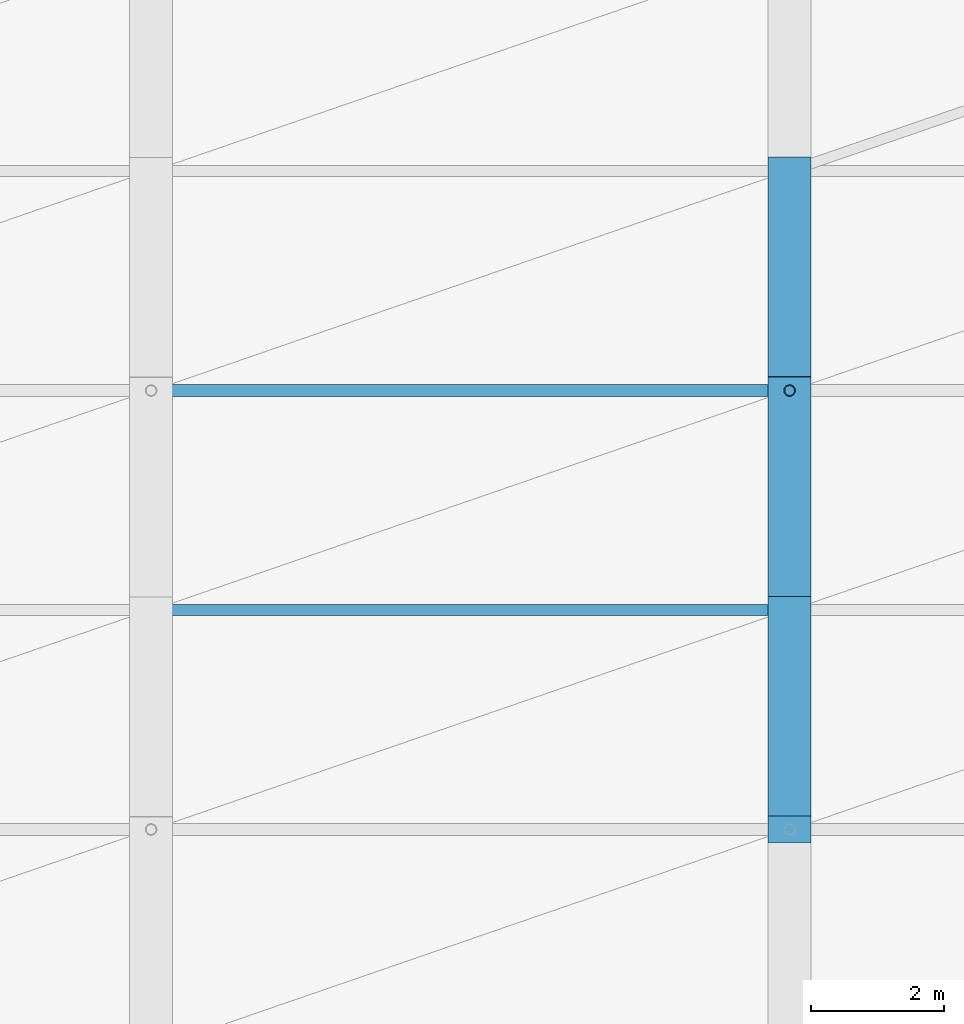
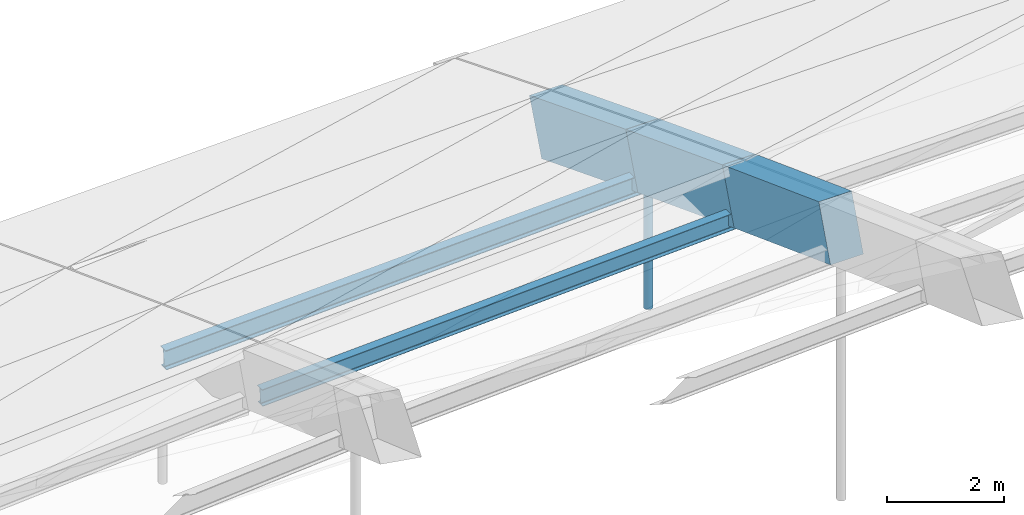
# One storey, part 21 of 43: 3 beams, 3 members.
"""IFC4 building model written with IfcOpenShell, lengths in metres."""

from ifc_helpers import new_model, si_unit, direction, frame, origin, origin_2d, place, context, subcontext, project, spatial, rectangle, hollow_circle, i_section, extrude, material, material_profile, profile_set, type_object, element, save


model = new_model("IFC4")

# Units and contexts
model_context = context("Model", 3, precision=1e-05, world=origin(), true_north=direction((0.0, 1.0)))
body_context = subcontext(model_context, "Body", "Model", "MODEL_VIEW")
ifc_project = project(units=[si_unit("LENGTHUNIT", "METRE"), si_unit("AREAUNIT", "SQUARE_METRE"), si_unit("VOLUMEUNIT", "CUBIC_METRE"), si_unit("PLANEANGLEUNIT", "RADIAN"), si_unit("MASSUNIT", "GRAM", prefix="KILO")], contexts=[model_context])

# Site, building, storey
site_placement = place(None, origin())
site = spatial("IfcSite", under=ifc_project, at=site_placement, CompositionType="ELEMENT")
building_placement = place(site_placement, origin())
building = spatial("IfcBuilding", under=site, at=building_placement, Name="Chalmorin Arch Market", CompositionType="ELEMENT")
storey_placement = place(building_placement, frame((0.0, 0.0, 18.60009765625)))
storey = spatial("IfcBuildingStorey", under=building, at=storey_placement, Name="RF", CompositionType="ELEMENT", Elevation=18.60009765625)

# Member
ifc_material_1 = material(Name="Steel A500 Grade C", Category="steel")
ifc_material_profile_1 = material_profile(ifc_material_1, hollow_circle(Radius=0.084228515625, WallThickness=0.007080078125, at=origin_2d()), Name="CHS168X7")
ifc_profile_set_1 = profile_set([ifc_material_profile_1], Name="Steel A500 Grade C")
member_type_1 = type_object("IfcMemberType", Name="ArchHangerTie-CHS168", PredefinedType="CHORD", material=ifc_profile_set_1)
member_1_placement = place(storey_placement, frame((76.800048828125, 52.199951171875, -2.552978515625), z_axis=(0.0, 0.0, 1.0), x_axis=(1.0, 0.0, 0.0)))
element("IfcMember", 1, at=member_1_placement, inside=storey, type_object=member_type_1, Name="HT-CH168-0155", PredefinedType="CHORD", context=body_context, shape_type="SweptSolid", body=[
    extrude(hollow_circle(Radius=0.084228515625, WallThickness=0.007080078125, at=origin_2d()), origin(), (0.0, 0.0, 1.0), 3.161376953125),
])

# Beams
ifc_material_2 = material(Name="Concrete C50/60", Category="concrete")
ifc_material_profile_2 = material_profile(ifc_material_2, rectangle(XDim=0.64990234375, YDim=1.14990234375, at=origin_2d()), Name="RC650X1150")
ifc_profile_set_2 = profile_set([ifc_material_profile_2], Name="Concrete C50/60")
beam_type = type_object("IfcBeamType", Name="ArchRibChord-650x1150", PredefinedType="BEAM", material=ifc_profile_set_2)
beam_1_placement = place(storey_placement, frame((76.800048828125, 45.60009765625, 3.098388671875), z_axis=(0.0, 0.937045198324, -0.349208098843), x_axis=(-1.0, 0.0, 0.0)))
element("IfcBeam", 2, at=beam_1_placement, inside=storey, type_object=beam_type, Name="AR-01-1654", PredefinedType="BEAM", context=body_context, shape_type="SweptSolid", body=[
    extrude(rectangle(XDim=0.64990234375, YDim=1.14990234375, at=origin_2d()), origin(), (0.0, 0.0, 1.0), 3.521484375),
])
beam_2_placement = place(storey_placement, frame((76.800048828125, 48.89990234375, 1.86865234375), z_axis=(0.0, 0.934196190943, -0.356759690586), x_axis=(-1.0, 0.0, 0.0)))
element("IfcBeam", 3, at=beam_2_placement, inside=storey, type_object=beam_type, Name="AR-01-1655", PredefinedType="BEAM", context=body_context, shape_type="SweptSolid", body=[
    extrude(rectangle(XDim=0.64990234375, YDim=1.14990234375, at=origin_2d()), origin(), (0.0, 0.0, 1.0), 3.532470703125),
])
beam_3_placement = place(storey_placement, frame((76.800048828125, 52.199951171875, 0.6083984375), z_axis=(0.0, 0.93134236978, -0.364144738055), x_axis=(-1.0, 0.0, 0.0)))
element("IfcBeam", 4, at=beam_3_placement, inside=storey, type_object=beam_type, Name="AR-01-1656", PredefinedType="BEAM", context=body_context, shape_type="SweptSolid", body=[
    extrude(rectangle(XDim=0.64990234375, YDim=1.14990234375, at=origin_2d()), origin(), (0.0, 0.0, 1.0), 3.543212890625),
])

# Members
ifc_material_3 = material(Name="Steel A992 Grade 50", Category="steel")
ifc_material_profile_3 = material_profile(ifc_material_3, i_section(OverallWidth=0.1708984375, OverallDepth=0.35107421875, WebThickness=0.0068359375, FlangeThickness=0.009765625, FilletRadius=0.014892578125, at=origin_2d()), Name="W14X30")
ifc_profile_set_3 = profile_set([ifc_material_profile_3], Name="Steel A992 Grade 50")
member_type_2 = type_object("IfcMemberType", Name="RoofSteelPurlin-W14X30", PredefinedType="PURLIN", material=ifc_profile_set_3)
member_2_placement = place(storey_placement, frame((67.219970703125, 48.89990234375, 0.94482421875), z_axis=(0.998923992344, 0.0, 0.046377338426), x_axis=(0.0, 1.0, 0.0)))
element("IfcMember", 5, at=member_2_placement, inside=storey, type_object=member_type_2, Name="PR-W14-0235", PredefinedType="PURLIN", context=body_context, shape_type="SweptSolid", body=[
    extrude(i_section(OverallWidth=0.1708984375, OverallDepth=0.35107421875, WebThickness=0.0068359375, FlangeThickness=0.009765625, FilletRadius=0.014892578125, at=origin_2d()), origin(), (0.0, 0.0, 1.0), 9.5703125),
])
ifc_material_profile_4 = material_profile(ifc_material_3, i_section(OverallWidth=0.178955078125, OverallDepth=0.409912109375, WebThickness=0.0087890625, FlangeThickness=0.014404296875, FilletRadius=0.01806640625, at=origin_2d()), Name="W16X45")
ifc_profile_set_4 = profile_set([ifc_material_profile_4], Name="Steel A992 Grade 50")
member_type_3 = type_object("IfcMemberType", Name="RoofSteelPurlin-W16X45", PredefinedType="PURLIN", material=ifc_profile_set_4)
member_3_placement = place(storey_placement, frame((67.219970703125, 52.199951171875, -0.26611328125), z_axis=(0.999149533114, 0.0, 0.041233608599), x_axis=(0.0, 1.0, 0.0)))
element("IfcMember", 6, at=member_3_placement, inside=storey, type_object=member_type_3, Name="PR-W16-0236", PredefinedType="PURLIN", context=body_context, shape_type="SweptSolid", body=[
    extrude(i_section(OverallWidth=0.178955078125, OverallDepth=0.409912109375, WebThickness=0.0087890625, FlangeThickness=0.014404296875, FilletRadius=0.01806640625, at=origin_2d()), origin(), (0.0, 0.0, 1.0), 9.568115234375),
])

save(model, "model.ifc")
